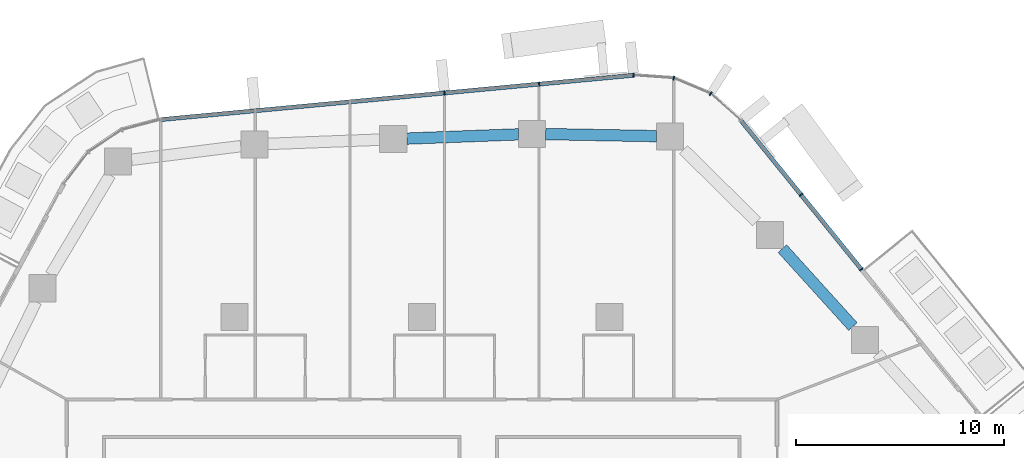
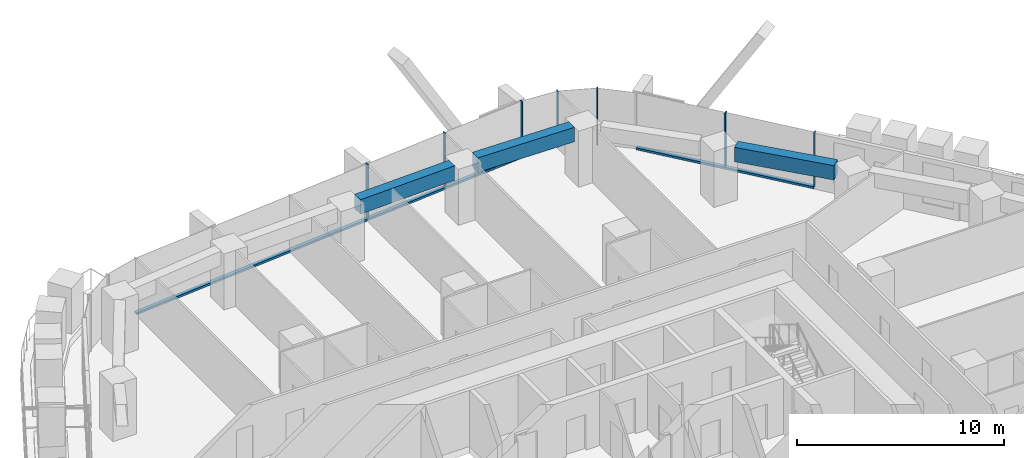
# One storey, part 8 of 23: 9 members, 3 beams, 3 elements without a shape of their own.
"""IFC4 building model written with IfcOpenShell, lengths in metres."""

from ifc_helpers import new_model, si_unit, direction, frame, origin, origin_2d, place, context, subcontext, project, spatial, rectangle, extrude, material, layer, layer_set, material_profile, profile_set, type_object, element, aggregate, save


model = new_model("IFC4")

# Units and contexts
model_context = context("Model", 3, precision=1e-05, world=origin(), true_north=direction((0.0, 1.0)))
body_context = subcontext(model_context, "Body", "Model", "MODEL_VIEW")
ifc_project = project(units=[si_unit("LENGTHUNIT", "METRE"), si_unit("AREAUNIT", "SQUARE_METRE"), si_unit("VOLUMEUNIT", "CUBIC_METRE"), si_unit("PLANEANGLEUNIT", "RADIAN"), si_unit("MASSUNIT", "GRAM", prefix="KILO")], contexts=[model_context])

# Site, building, storey
site_placement = place(None, origin())
site = spatial("IfcSite", under=ifc_project, at=site_placement, CompositionType="ELEMENT")
building_placement = place(site_placement, origin())
building = spatial("IfcBuilding", under=site, at=building_placement, Name="Dongbaek Canopy Tower", CompositionType="ELEMENT")
storey_placement = place(building_placement, frame((0.0, 0.0, 121.10009765625)))
storey = spatial("IfcBuildingStorey", under=building, at=storey_placement, Name="L26", CompositionType="ELEMENT", Elevation=121.10009765625)

# Curtain wall, members
ifc_material_1 = material(Name="Aluminium 6063-T6 pale anodised", Category="aluminium")
ifc_layer = layer(ifc_material_1, 0.199951171875)
ifc_layer_set = layer_set([ifc_layer], Name="CW-1 unitised tower curtain wall")
curtain_wall_type = type_object("IfcCurtainWallType", Name="CW-1 unitised tower curtain wall", PredefinedType="NOTDEFINED", material=ifc_layer_set)
curtain_wall_1_placement = place(storey_placement, origin())
curtain_wall_1 = element("IfcCurtainWall", 1, at=curtain_wall_1_placement, inside=storey, type_object=curtain_wall_type, Name="CW-1 curtain wall F0.1", PredefinedType="NOTDEFINED")
ifc_material_2 = material(Name="Aluminium 6063-T6 pale anodised", Category="aluminium")
ifc_material_profile_1 = material_profile(ifc_material_2, rectangle(XDim=0.199951171875, YDim=0.06005859375, at=origin_2d()), Name="CW-1 mullion 60 x 200")
ifc_profile_set_1 = profile_set([ifc_material_profile_1], Name="Aluminium 6063-T6 pale anodised")
member_type_1 = type_object("IfcMemberType", Name="CW-1 mullion 60 x 200", PredefinedType="MULLION", material=ifc_profile_set_1)
member_1_placement = place(storey_placement, frame((21.099609375, 20.295654296875, 0.119873046875), z_axis=(0.0, 0.0, 1.0), x_axis=(0.777161000453, 0.629301818982, 0.0)))
member_1 = element("IfcMember", 2, at=member_1_placement, type_object=member_type_1, Name="CW-1 mullion F0.1.1", PredefinedType="MULLION", context=body_context, shape_type="SweptSolid", body=[
    extrude(rectangle(XDim=0.199951171875, YDim=0.06005859375, at=origin_2d()), origin(), (0.0, 0.0, 1.0), 3.179931640625),
])
member_2_placement = place(storey_placement, frame((18.203125, 23.87255859375, 0.119873046875), z_axis=(0.0, 0.0, 1.0), x_axis=(0.777161000453, 0.629301818982, 0.0)))
member_2 = element("IfcMember", 3, at=member_2_placement, type_object=member_type_1, Name="CW-1 mullion F0.1.2", PredefinedType="MULLION", context=body_context, shape_type="SweptSolid", body=[
    extrude(rectangle(XDim=0.199951171875, YDim=0.06005859375, at=origin_2d()), origin(), (0.0, 0.0, 1.0), 3.179931640625),
])

curtain_wall_2_placement = place(storey_placement, origin())
curtain_wall_2 = element("IfcCurtainWall", 4, at=curtain_wall_2_placement, inside=storey, type_object=curtain_wall_type, Name="CW-1 curtain wall K1.1", PredefinedType="NOTDEFINED")
member_3_placement = place(storey_placement, frame((13.865966796875, 28.727294921875, 0.0), z_axis=(0.0, 0.0, 1.0), x_axis=(0.53309103592, 0.846057886566, 0.0)))
member_3 = element("IfcMember", 5, at=member_3_placement, type_object=member_type_1, Name="CW-1 mullion K1.1.2", PredefinedType="MULLION", context=body_context, shape_type="SweptSolid", body=[
    extrude(rectangle(XDim=0.199951171875, YDim=0.06005859375, at=origin_2d()), origin(), (0.0, 0.0, 1.0), 3.2998046875),
])
member_4_placement = place(storey_placement, frame((12.09130859375, 29.47412109375, 0.0), z_axis=(0.0, 0.0, 1.0), x_axis=(0.232218440761, 0.972663660147, 0.0)))
member_4 = element("IfcMember", 6, at=member_4_placement, type_object=member_type_1, Name="CW-1 mullion K1.1.3", PredefinedType="MULLION", context=body_context, shape_type="SweptSolid", body=[
    extrude(rectangle(XDim=0.199951171875, YDim=0.06005859375, at=origin_2d()), origin(), (0.0, 0.0, 1.0), 3.2998046875),
])
member_5_placement = place(storey_placement, frame((10.162353515625, 29.610107421875, 0.0), z_axis=(0.0, 0.0, 1.0), x_axis=(0.070353695471, 0.997522108794, 0.0)))
member_5 = element("IfcMember", 7, at=member_5_placement, type_object=member_type_1, Name="CW-1 mullion K1.1.4", PredefinedType="MULLION", context=body_context, shape_type="SweptSolid", body=[
    extrude(rectangle(XDim=0.199951171875, YDim=0.06005859375, at=origin_2d()), origin(), (0.0, 0.0, 1.0), 3.2998046875),
])
aggregate(curtain_wall_2, [member_3, member_4, member_5])

curtain_wall_3_placement = place(storey_placement, origin())
curtain_wall_3 = element("IfcCurtainWall", 8, at=curtain_wall_3_placement, inside=storey, type_object=curtain_wall_type, Name="CW-1 curtain wall F1.1", PredefinedType="NOTDEFINED")
member_6_placement = place(storey_placement, frame((5.628662109375, 29.184814453125, 0.119873046875), z_axis=(0.0, 0.0, 1.0), x_axis=(-0.093397804951, 0.995628871634, 0.0)))
member_6 = element("IfcMember", 9, at=member_6_placement, type_object=member_type_1, Name="CW-1 mullion F1.1.2", PredefinedType="MULLION", context=body_context, shape_type="SweptSolid", body=[
    extrude(rectangle(XDim=0.199951171875, YDim=0.06005859375, at=origin_2d()), origin(), (0.0, 0.0, 1.0), 3.179931640625),
])
member_7_placement = place(storey_placement, frame((1.0869140625, 28.7587890625, 0.119873046875), z_axis=(0.0, 0.0, 1.0), x_axis=(-0.093397804951, 0.995628871634, 0.0)))
member_7 = element("IfcMember", 10, at=member_7_placement, type_object=member_type_1, Name="CW-1 mullion F1.1.3", PredefinedType="MULLION", context=body_context, shape_type="SweptSolid", body=[
    extrude(rectangle(XDim=0.199951171875, YDim=0.06005859375, at=origin_2d()), origin(), (0.0, 0.0, 1.0), 3.179931640625),
])

# Member
ifc_material_3 = material(Name="Aluminium 6063-T6 pale anodised", Category="aluminium")
ifc_material_profile_2 = material_profile(ifc_material_3, rectangle(XDim=0.199951171875, YDim=0.1201171875, at=origin_2d()), Name="CW-1 transom 120 x 200")
ifc_profile_set_2 = profile_set([ifc_material_profile_2], Name="Aluminium 6063-T6 pale anodised")
member_type_2 = type_object("IfcMemberType", Name="CW-1 transom 120 x 200", PredefinedType="USERDEFINED", material=ifc_profile_set_2)
member_8_placement = place(storey_placement, frame((21.099609375, 20.295654296875, 0.059814453125), z_axis=(-0.629300552765, 0.777162025764, 0.0), x_axis=(-0.777162025764, -0.629300552765, 0.0)))
member_8 = element("IfcMember", 11, at=member_8_placement, type_object=member_type_2, Name="CW-1 transom F0.1.1", ObjectType="TRANSOM", PredefinedType="USERDEFINED", context=body_context, shape_type="SweptSolid", body=[
    extrude(rectangle(XDim=0.199951171875, YDim=0.1201171875, at=origin_2d()), origin(), (0.0, 0.0, 1.0), 9.19677734375),
])

aggregate(curtain_wall_1, [member_1, member_2, member_8])

member_9_placement = place(storey_placement, frame((10.162353515625, 29.610107421875, 0.059814453125), z_axis=(-0.995629216218, -0.09339413158, 0.0), x_axis=(0.09339413158, -0.995629216218, 0.0)))
member_9 = element("IfcMember", 12, at=member_9_placement, type_object=member_type_2, Name="CW-1 transom F1.1.1", ObjectType="TRANSOM", PredefinedType="USERDEFINED", context=body_context, shape_type="SweptSolid", body=[
    extrude(rectangle(XDim=0.199951171875, YDim=0.1201171875, at=origin_2d()), origin(), (0.0, 0.0, 1.0), 22.792236328125),
])

aggregate(curtain_wall_3, [member_6, member_7, member_9])

# Beams
ifc_material_4 = material(Name="Concrete C80", Category="concrete")
ifc_material_profile_3 = material_profile(ifc_material_4, rectangle(XDim=0.550048828125, YDim=0.85009765625, at=origin_2d()), Name="RC EDGE BEAM 550x850 C80")
ifc_profile_set_3 = profile_set([ifc_material_profile_3], Name="Concrete C80")
beam_type = type_object("IfcBeamType", Name="RC EDGE BEAM 550x850 C80", PredefinedType="BEAM", material=ifc_profile_set_3)
beam_1_placement = place(storey_placement, frame((-0.721923828125, 26.56884765625, 2.875), z_axis=(0.999275939063, 0.03804730751, 0.0), x_axis=(-0.03804730751, 0.999275939063, 0.0)))
element("IfcBeam", 13, at=beam_1_placement, inside=storey, type_object=beam_type, Name="EDGEBEAM:L26:15", PredefinedType="BEAM", context=body_context, shape_type="SweptSolid", body=[
    extrude(rectangle(XDim=0.550048828125, YDim=0.85009765625, at=origin_2d()), origin(), (0.0, 0.0, 1.0), 5.370849609375),
])
beam_2_placement = place(storey_placement, frame((5.945068359375, 26.785888671875, 2.875), z_axis=(0.999824893163, -0.018713177504, 0.0), x_axis=(0.018713177504, 0.999824893163, 0.0)))
element("IfcBeam", 14, at=beam_2_placement, inside=storey, type_object=beam_type, Name="EDGEBEAM:L26:16", PredefinedType="BEAM", context=body_context, shape_type="SweptSolid", body=[
    extrude(rectangle(XDim=0.550048828125, YDim=0.85009765625, at=origin_2d()), origin(), (0.0, 0.0, 1.0), 5.322998046875),
])
beam_3_placement = place(storey_placement, frame((17.306640625, 21.284912109375, 2.875), z_axis=(0.671331632341, -0.741157094966, 0.0), x_axis=(0.741157094966, 0.671331632341, 0.0)))
element("IfcBeam", 15, at=beam_3_placement, inside=storey, type_object=beam_type, Name="EDGEBEAM:L26:18", PredefinedType="BEAM", context=body_context, shape_type="SweptSolid", body=[
    extrude(rectangle(XDim=0.550048828125, YDim=0.85009765625, at=origin_2d()), origin(), (0.0, 0.0, 1.0), 5.041748046875),
])

save(model, "model.ifc")
